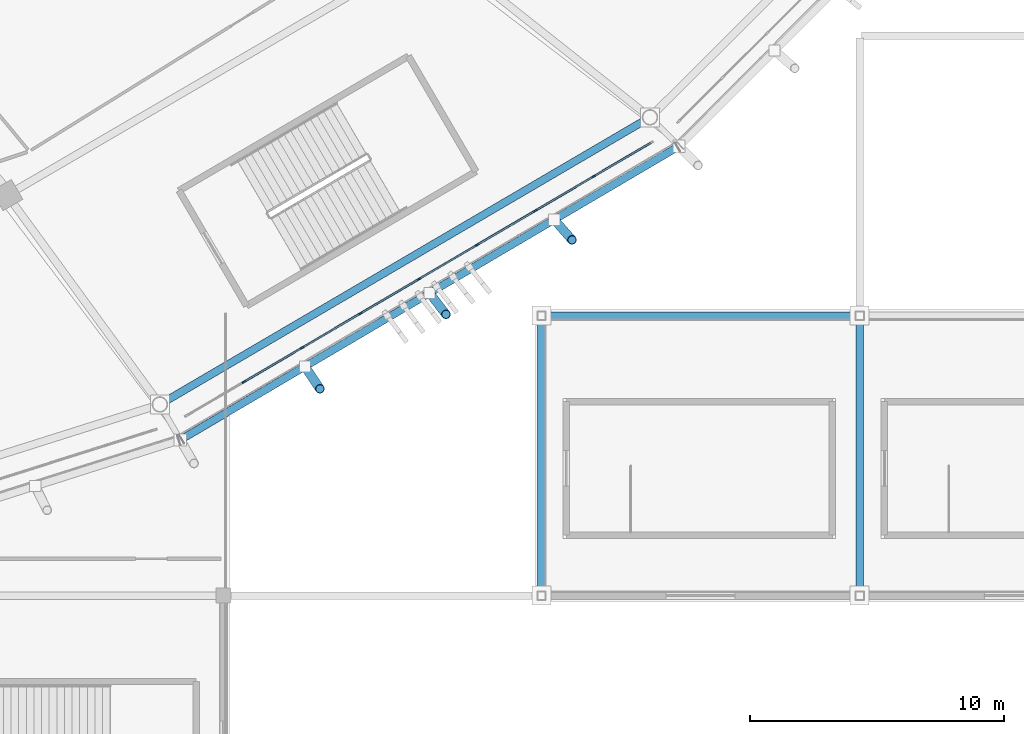
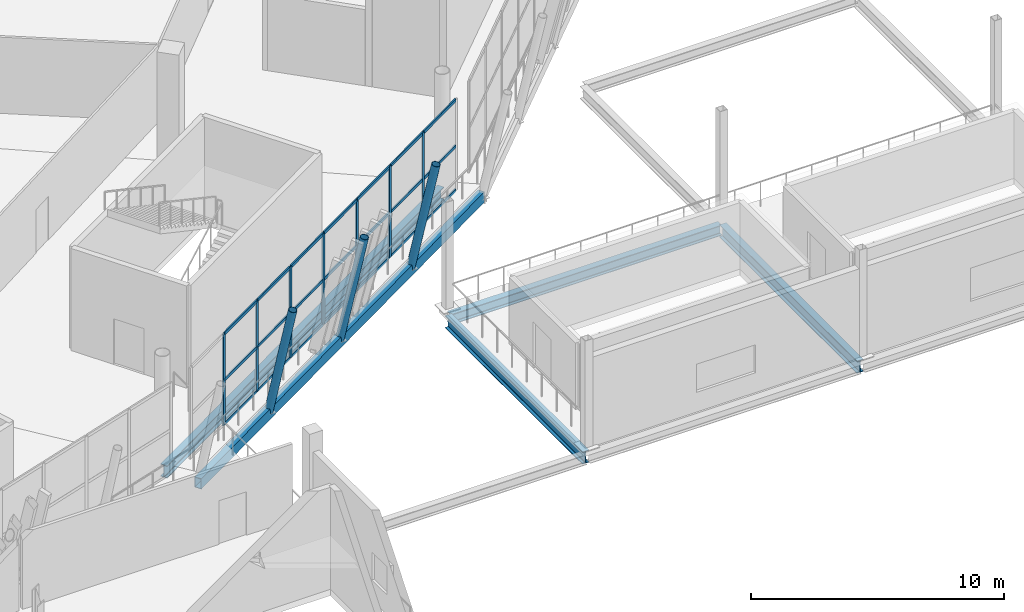
# One storey, part 54 of 178: 31 members, 5 beams, 1 element without a shape of its own.
"""IFC4 building model written with IfcOpenShell, lengths in metres."""

from ifc_helpers import new_model, si_unit, direction, frame, origin, origin_2d, place, context, subcontext, project, spatial, rectangle, hollow_rectangle, hollow_circle, i_section, extrude, material, material_profile, profile_set, type_object, element, aggregate, save


model = new_model("IFC4")

# Units and contexts
model_context = context("Model", 3, precision=1e-05, world=origin(), true_north=direction((0.0, 1.0)))
body_context = subcontext(model_context, "Body", "Model", "MODEL_VIEW")
ifc_project = project(units=[si_unit("LENGTHUNIT", "METRE"), si_unit("AREAUNIT", "SQUARE_METRE"), si_unit("VOLUMEUNIT", "CUBIC_METRE"), si_unit("PLANEANGLEUNIT", "RADIAN"), si_unit("MASSUNIT", "GRAM", prefix="KILO")], contexts=[model_context])

# Site, building, storey
site_placement = place(None, origin())
site = spatial("IfcSite", under=ifc_project, at=site_placement, CompositionType="ELEMENT")
building_placement = place(site_placement, origin())
building = spatial("IfcBuilding", under=site, at=building_placement, Name="Zlatoyarsky Gate Stadium", CompositionType="ELEMENT")
storey_placement = place(building_placement, frame((0.0, 0.0, 5.39990234375)))
storey = spatial("IfcBuildingStorey", under=building, at=storey_placement, Name="L01", CompositionType="ELEMENT", Elevation=5.39990234375)

# Curtain wall, members
ifc_material_1 = material(Name="Thermally broken anodised aluminium curtain wall", Category="aluminium")
curtain_wall_type = type_object("IfcCurtainWallType", Name="UNITISED HOSPITALITY GLAZING L01", PredefinedType="USERDEFINED", material=ifc_material_1)
curtain_wall_placement = place(storey_placement, origin())
curtain_wall = element("IfcCurtainWall", 1, at=curtain_wall_placement, inside=storey, type_object=curtain_wall_type, Name="Curtain wall CW-L01-20", ObjectType="UNITISED GLAZING", PredefinedType="USERDEFINED")
ifc_material_2 = material(Name="Anodised aluminium 6063-T6", Category="aluminium")
ifc_material_profile_1 = material_profile(ifc_material_2, rectangle(XDim=0.06494140625, YDim=0.159912109375, at=origin_2d()), Name="ALU 65X160")
ifc_profile_set_1 = profile_set([ifc_material_profile_1], Name="Anodised aluminium 6063-T6")
member_type_1 = type_object("IfcMemberType", Name="ALUMINIUM MULLION 65X160", PredefinedType="MULLION", material=ifc_profile_set_1)
member_1_placement = place(storey_placement, frame((160.8056640625, 19.40087890625, 0.0), z_axis=(0.0, 0.0, 1.0), x_axis=(-0.506590401335, 0.862186850558, 0.0)))
member_1 = element("IfcMember", 2, at=member_1_placement, type_object=member_type_1, Name="CW-UG1 mullion 2", PredefinedType="MULLION", context=body_context, shape_type="SweptSolid", body=[
    extrude(rectangle(XDim=0.06494140625, YDim=0.159912109375, at=origin_2d()), origin(), (0.0, 0.0, 1.0), 4.400146484375),
])
member_2_placement = place(storey_placement, frame((163.0966796875, 20.7470703125, 0.0), z_axis=(0.0, 0.0, 1.0), x_axis=(-0.506590401335, 0.862186850558, 0.0)))
member_2 = element("IfcMember", 3, at=member_2_placement, type_object=member_type_1, Name="CW-UG1 mullion 3", PredefinedType="MULLION", context=body_context, shape_type="SweptSolid", body=[
    extrude(rectangle(XDim=0.06494140625, YDim=0.159912109375, at=origin_2d()), origin(), (0.0, 0.0, 1.0), 4.400146484375),
])
member_3_placement = place(storey_placement, frame((165.3876953125, 22.093017578125, 0.0), z_axis=(0.0, 0.0, 1.0), x_axis=(-0.506590401335, 0.862186850558, 0.0)))
member_3 = element("IfcMember", 4, at=member_3_placement, type_object=member_type_1, Name="CW-UG1 mullion 4", PredefinedType="MULLION", context=body_context, shape_type="SweptSolid", body=[
    extrude(rectangle(XDim=0.06494140625, YDim=0.159912109375, at=origin_2d()), origin(), (0.0, 0.0, 1.0), 4.400146484375),
])
member_4_placement = place(storey_placement, frame((167.6787109375, 23.439208984375, 0.0), z_axis=(0.0, 0.0, 1.0), x_axis=(-0.506590401335, 0.862186850558, 0.0)))
member_4 = element("IfcMember", 5, at=member_4_placement, type_object=member_type_1, Name="CW-UG1 mullion 5", PredefinedType="MULLION", context=body_context, shape_type="SweptSolid", body=[
    extrude(rectangle(XDim=0.06494140625, YDim=0.159912109375, at=origin_2d()), origin(), (0.0, 0.0, 1.0), 4.400146484375),
])
member_5_placement = place(storey_placement, frame((169.9697265625, 24.785400390625, 0.0), z_axis=(0.0, 0.0, 1.0), x_axis=(-0.506590401335, 0.862186850558, 0.0)))
member_5 = element("IfcMember", 6, at=member_5_placement, type_object=member_type_1, Name="CW-UG1 mullion 6", PredefinedType="MULLION", context=body_context, shape_type="SweptSolid", body=[
    extrude(rectangle(XDim=0.06494140625, YDim=0.159912109375, at=origin_2d()), origin(), (0.0, 0.0, 1.0), 4.400146484375),
])
member_6_placement = place(storey_placement, frame((172.2607421875, 26.13134765625, 0.0), z_axis=(0.0, 0.0, 1.0), x_axis=(-0.506590401335, 0.862186850558, 0.0)))
member_6 = element("IfcMember", 7, at=member_6_placement, type_object=member_type_1, Name="CW-UG1 mullion 7", PredefinedType="MULLION", context=body_context, shape_type="SweptSolid", body=[
    extrude(rectangle(XDim=0.06494140625, YDim=0.159912109375, at=origin_2d()), origin(), (0.0, 0.0, 1.0), 4.400146484375),
])
member_7_placement = place(storey_placement, frame((174.5517578125, 27.4775390625, 0.0), z_axis=(0.0, 0.0, 1.0), x_axis=(-0.506590401335, 0.862186850558, 0.0)))
member_7 = element("IfcMember", 8, at=member_7_placement, type_object=member_type_1, Name="CW-UG1 mullion 8", PredefinedType="MULLION", context=body_context, shape_type="SweptSolid", body=[
    extrude(rectangle(XDim=0.06494140625, YDim=0.159912109375, at=origin_2d()), origin(), (0.0, 0.0, 1.0), 4.400146484375),
])
ifc_material_profile_2 = material_profile(ifc_material_2, rectangle(XDim=0.06494140625, YDim=0.139892578125, at=origin_2d()), Name="ALU 65X140")
ifc_profile_set_2 = profile_set([ifc_material_profile_2], Name="Anodised aluminium 6063-T6")
member_type_2 = type_object("IfcMemberType", Name="ALUMINIUM TRANSOM 65X140", PredefinedType="USERDEFINED", material=ifc_profile_set_2)
member_8_placement = place(storey_placement, frame((160.833740234375, 19.417236328125, 0.03271484375), z_axis=(0.862193150748, 0.506579678632, 0.0), x_axis=(-0.506579678632, 0.862193150748, 0.0)))
member_8 = element("IfcMember", 9, at=member_8_placement, type_object=member_type_2, Name="CW-UG1 transom 2.1", ObjectType="TRANSOM", PredefinedType="USERDEFINED", context=body_context, shape_type="SweptSolid", body=[
    extrude(rectangle(XDim=0.06494140625, YDim=0.139892578125, at=origin_2d()), origin(), (0.0, 0.0, 1.0), 2.59228515625),
])
member_9_placement = place(storey_placement, frame((160.833740234375, 19.417236328125, 2.150146484375), z_axis=(0.862193150748, 0.506579678632, 0.0), x_axis=(-0.506579678632, 0.862193150748, 0.0)))
member_9 = element("IfcMember", 10, at=member_9_placement, type_object=member_type_2, Name="CW-UG1 transom 2.2", ObjectType="TRANSOM", PredefinedType="USERDEFINED", context=body_context, shape_type="SweptSolid", body=[
    extrude(rectangle(XDim=0.06494140625, YDim=0.139892578125, at=origin_2d()), origin(), (0.0, 0.0, 1.0), 2.59228515625),
])
member_10_placement = place(storey_placement, frame((160.833740234375, 19.417236328125, 4.36767578125), z_axis=(0.862193150748, 0.506579678632, 0.0), x_axis=(-0.506579678632, 0.862193150748, 0.0)))
member_10 = element("IfcMember", 11, at=member_10_placement, type_object=member_type_2, Name="CW-UG1 transom 2.3", ObjectType="TRANSOM", PredefinedType="USERDEFINED", context=body_context, shape_type="SweptSolid", body=[
    extrude(rectangle(XDim=0.06494140625, YDim=0.139892578125, at=origin_2d()), origin(), (0.0, 0.0, 1.0), 2.59228515625),
])
member_11_placement = place(storey_placement, frame((163.124755859375, 20.763427734375, 0.03271484375), z_axis=(0.862193150748, 0.506579678632, 0.0), x_axis=(-0.506579678632, 0.862193150748, 0.0)))
member_11 = element("IfcMember", 12, at=member_11_placement, type_object=member_type_2, Name="CW-UG1 transom 3.1", ObjectType="TRANSOM", PredefinedType="USERDEFINED", context=body_context, shape_type="SweptSolid", body=[
    extrude(rectangle(XDim=0.06494140625, YDim=0.139892578125, at=origin_2d()), origin(), (0.0, 0.0, 1.0), 2.59228515625),
])
member_12_placement = place(storey_placement, frame((163.124755859375, 20.763427734375, 2.150146484375), z_axis=(0.862193150748, 0.506579678632, 0.0), x_axis=(-0.506579678632, 0.862193150748, 0.0)))
member_12 = element("IfcMember", 13, at=member_12_placement, type_object=member_type_2, Name="CW-UG1 transom 3.2", ObjectType="TRANSOM", PredefinedType="USERDEFINED", context=body_context, shape_type="SweptSolid", body=[
    extrude(rectangle(XDim=0.06494140625, YDim=0.139892578125, at=origin_2d()), origin(), (0.0, 0.0, 1.0), 2.59228515625),
])
member_13_placement = place(storey_placement, frame((163.124755859375, 20.763427734375, 4.36767578125), z_axis=(0.862193150748, 0.506579678632, 0.0), x_axis=(-0.506579678632, 0.862193150748, 0.0)))
member_13 = element("IfcMember", 14, at=member_13_placement, type_object=member_type_2, Name="CW-UG1 transom 3.3", ObjectType="TRANSOM", PredefinedType="USERDEFINED", context=body_context, shape_type="SweptSolid", body=[
    extrude(rectangle(XDim=0.06494140625, YDim=0.139892578125, at=origin_2d()), origin(), (0.0, 0.0, 1.0), 2.59228515625),
])
member_14_placement = place(storey_placement, frame((165.415771484375, 22.109619140625, 0.03271484375), z_axis=(0.862193150748, 0.506579678632, 0.0), x_axis=(-0.506579678632, 0.862193150748, 0.0)))
member_14 = element("IfcMember", 15, at=member_14_placement, type_object=member_type_2, Name="CW-UG1 transom 4.1", ObjectType="TRANSOM", PredefinedType="USERDEFINED", context=body_context, shape_type="SweptSolid", body=[
    extrude(rectangle(XDim=0.06494140625, YDim=0.139892578125, at=origin_2d()), origin(), (0.0, 0.0, 1.0), 2.59228515625),
])
member_15_placement = place(storey_placement, frame((165.415771484375, 22.109619140625, 2.150146484375), z_axis=(0.862193150748, 0.506579678632, 0.0), x_axis=(-0.506579678632, 0.862193150748, 0.0)))
member_15 = element("IfcMember", 16, at=member_15_placement, type_object=member_type_2, Name="CW-UG1 transom 4.2", ObjectType="TRANSOM", PredefinedType="USERDEFINED", context=body_context, shape_type="SweptSolid", body=[
    extrude(rectangle(XDim=0.06494140625, YDim=0.139892578125, at=origin_2d()), origin(), (0.0, 0.0, 1.0), 2.59228515625),
])
member_16_placement = place(storey_placement, frame((165.415771484375, 22.109619140625, 4.36767578125), z_axis=(0.862193150748, 0.506579678632, 0.0), x_axis=(-0.506579678632, 0.862193150748, 0.0)))
member_16 = element("IfcMember", 17, at=member_16_placement, type_object=member_type_2, Name="CW-UG1 transom 4.3", ObjectType="TRANSOM", PredefinedType="USERDEFINED", context=body_context, shape_type="SweptSolid", body=[
    extrude(rectangle(XDim=0.06494140625, YDim=0.139892578125, at=origin_2d()), origin(), (0.0, 0.0, 1.0), 2.59228515625),
])
member_17_placement = place(storey_placement, frame((167.706787109375, 23.45556640625, 0.03271484375), z_axis=(0.862193150748, 0.506579678632, 0.0), x_axis=(-0.506579678632, 0.862193150748, 0.0)))
member_17 = element("IfcMember", 18, at=member_17_placement, type_object=member_type_2, Name="CW-UG1 transom 5.1", ObjectType="TRANSOM", PredefinedType="USERDEFINED", context=body_context, shape_type="SweptSolid", body=[
    extrude(rectangle(XDim=0.06494140625, YDim=0.139892578125, at=origin_2d()), origin(), (0.0, 0.0, 1.0), 2.59228515625),
])
member_18_placement = place(storey_placement, frame((167.706787109375, 23.45556640625, 2.150146484375), z_axis=(0.862193150748, 0.506579678632, 0.0), x_axis=(-0.506579678632, 0.862193150748, 0.0)))
member_18 = element("IfcMember", 19, at=member_18_placement, type_object=member_type_2, Name="CW-UG1 transom 5.2", ObjectType="TRANSOM", PredefinedType="USERDEFINED", context=body_context, shape_type="SweptSolid", body=[
    extrude(rectangle(XDim=0.06494140625, YDim=0.139892578125, at=origin_2d()), origin(), (0.0, 0.0, 1.0), 2.59228515625),
])
member_19_placement = place(storey_placement, frame((167.706787109375, 23.45556640625, 4.36767578125), z_axis=(0.862193150748, 0.506579678632, 0.0), x_axis=(-0.506579678632, 0.862193150748, 0.0)))
member_19 = element("IfcMember", 20, at=member_19_placement, type_object=member_type_2, Name="CW-UG1 transom 5.3", ObjectType="TRANSOM", PredefinedType="USERDEFINED", context=body_context, shape_type="SweptSolid", body=[
    extrude(rectangle(XDim=0.06494140625, YDim=0.139892578125, at=origin_2d()), origin(), (0.0, 0.0, 1.0), 2.59228515625),
])
member_20_placement = place(storey_placement, frame((169.997802734375, 24.8017578125, 0.03271484375), z_axis=(0.862193150748, 0.506579678632, 0.0), x_axis=(-0.506579678632, 0.862193150748, 0.0)))
member_20 = element("IfcMember", 21, at=member_20_placement, type_object=member_type_2, Name="CW-UG1 transom 6.1", ObjectType="TRANSOM", PredefinedType="USERDEFINED", context=body_context, shape_type="SweptSolid", body=[
    extrude(rectangle(XDim=0.06494140625, YDim=0.139892578125, at=origin_2d()), origin(), (0.0, 0.0, 1.0), 2.59228515625),
])
member_21_placement = place(storey_placement, frame((169.997802734375, 24.8017578125, 2.150146484375), z_axis=(0.862193150748, 0.506579678632, 0.0), x_axis=(-0.506579678632, 0.862193150748, 0.0)))
member_21 = element("IfcMember", 22, at=member_21_placement, type_object=member_type_2, Name="CW-UG1 transom 6.2", ObjectType="TRANSOM", PredefinedType="USERDEFINED", context=body_context, shape_type="SweptSolid", body=[
    extrude(rectangle(XDim=0.06494140625, YDim=0.139892578125, at=origin_2d()), origin(), (0.0, 0.0, 1.0), 2.59228515625),
])
member_22_placement = place(storey_placement, frame((169.997802734375, 24.8017578125, 4.36767578125), z_axis=(0.862193150748, 0.506579678632, 0.0), x_axis=(-0.506579678632, 0.862193150748, 0.0)))
member_22 = element("IfcMember", 23, at=member_22_placement, type_object=member_type_2, Name="CW-UG1 transom 6.3", ObjectType="TRANSOM", PredefinedType="USERDEFINED", context=body_context, shape_type="SweptSolid", body=[
    extrude(rectangle(XDim=0.06494140625, YDim=0.139892578125, at=origin_2d()), origin(), (0.0, 0.0, 1.0), 2.59228515625),
])
member_23_placement = place(storey_placement, frame((172.288818359375, 26.14794921875, 0.03271484375), z_axis=(0.862193150748, 0.506579678632, 0.0), x_axis=(-0.506579678632, 0.862193150748, 0.0)))
member_23 = element("IfcMember", 24, at=member_23_placement, type_object=member_type_2, Name="CW-UG1 transom 7.1", ObjectType="TRANSOM", PredefinedType="USERDEFINED", context=body_context, shape_type="SweptSolid", body=[
    extrude(rectangle(XDim=0.06494140625, YDim=0.139892578125, at=origin_2d()), origin(), (0.0, 0.0, 1.0), 2.59228515625),
])
member_24_placement = place(storey_placement, frame((172.288818359375, 26.14794921875, 2.150146484375), z_axis=(0.862193150748, 0.506579678632, 0.0), x_axis=(-0.506579678632, 0.862193150748, 0.0)))
member_24 = element("IfcMember", 25, at=member_24_placement, type_object=member_type_2, Name="CW-UG1 transom 7.2", ObjectType="TRANSOM", PredefinedType="USERDEFINED", context=body_context, shape_type="SweptSolid", body=[
    extrude(rectangle(XDim=0.06494140625, YDim=0.139892578125, at=origin_2d()), origin(), (0.0, 0.0, 1.0), 2.59228515625),
])
member_25_placement = place(storey_placement, frame((172.288818359375, 26.14794921875, 4.36767578125), z_axis=(0.862193150748, 0.506579678632, 0.0), x_axis=(-0.506579678632, 0.862193150748, 0.0)))
member_25 = element("IfcMember", 26, at=member_25_placement, type_object=member_type_2, Name="CW-UG1 transom 7.3", ObjectType="TRANSOM", PredefinedType="USERDEFINED", context=body_context, shape_type="SweptSolid", body=[
    extrude(rectangle(XDim=0.06494140625, YDim=0.139892578125, at=origin_2d()), origin(), (0.0, 0.0, 1.0), 2.59228515625),
])
member_26_placement = place(storey_placement, frame((174.579833984375, 27.494140625, 0.03271484375), z_axis=(0.862211146606, 0.506549048631, 0.0), x_axis=(-0.506549048631, 0.862211146606, 0.0)))
member_26 = element("IfcMember", 27, at=member_26_placement, type_object=member_type_2, Name="CW-UG1 transom 8.1", ObjectType="TRANSOM", PredefinedType="USERDEFINED", context=body_context, shape_type="SweptSolid", body=[
    extrude(rectangle(XDim=0.06494140625, YDim=0.139892578125, at=origin_2d()), origin(), (0.0, 0.0, 1.0), 2.559814453125),
])
member_27_placement = place(storey_placement, frame((174.579833984375, 27.494140625, 2.150146484375), z_axis=(0.862211146606, 0.506549048631, 0.0), x_axis=(-0.506549048631, 0.862211146606, 0.0)))
member_27 = element("IfcMember", 28, at=member_27_placement, type_object=member_type_2, Name="CW-UG1 transom 8.2", ObjectType="TRANSOM", PredefinedType="USERDEFINED", context=body_context, shape_type="SweptSolid", body=[
    extrude(rectangle(XDim=0.06494140625, YDim=0.139892578125, at=origin_2d()), origin(), (0.0, 0.0, 1.0), 2.559814453125),
])
member_28_placement = place(storey_placement, frame((174.579833984375, 27.494140625, 4.36767578125), z_axis=(0.862211146606, 0.506549048631, 0.0), x_axis=(-0.506549048631, 0.862211146606, 0.0)))
member_28 = element("IfcMember", 29, at=member_28_placement, type_object=member_type_2, Name="CW-UG1 transom 8.3", ObjectType="TRANSOM", PredefinedType="USERDEFINED", context=body_context, shape_type="SweptSolid", body=[
    extrude(rectangle(XDim=0.06494140625, YDim=0.139892578125, at=origin_2d()), origin(), (0.0, 0.0, 1.0), 2.559814453125),
])
aggregate(curtain_wall, [member_1, member_2, member_3, member_4, member_5, member_6, member_7, member_8, member_9, member_10, member_11, member_12, member_13, member_14, member_15, member_16, member_17, member_18, member_19, member_20, member_21, member_22, member_23, member_24, member_25, member_26, member_27, member_28])

# Members
ifc_material_3 = material(Name="Steel S355", Category="steel")
ifc_material_profile_3 = material_profile(ifc_material_3, hollow_circle(Radius=0.177734375, WallThickness=0.02001953125, at=origin_2d()), Name="CHS 355.6X20")
ifc_profile_set_3 = profile_set([ifc_material_profile_3], Name="Steel S355")
member_type_3 = type_object("IfcMemberType", Name="STEEL LEANING RIB RING STRUT CHS 355.6X20", PredefinedType="STRUT", material=ifc_profile_set_3)
member_29_placement = place(storey_placement, frame((163.202880859375, 20.00390625, -0.5498046875), z_axis=(0.110551670231, -0.165598335218, 0.979977305646), x_axis=(0.831695977992, 0.555231303326, 0.0)))
element("IfcMember", 30, at=member_29_placement, inside=storey, type_object=member_type_3, Name="Outward-leaning bowl louvre fin rib L01 20-1", PredefinedType="STRUT", context=body_context, shape_type="SweptSolid", body=[
    extrude(hollow_circle(Radius=0.177734375, WallThickness=0.02001953125, at=origin_2d()), origin(), (0.0, 0.0, 1.0), 5.32666015625),
])
member_30_placement = place(storey_placement, frame((168.101318359375, 22.888671875, -0.5498046875), z_axis=(0.120966219196, -0.157636539528, 0.980060148776), x_axis=(0.793335236523, 0.608785021572, 0.0)))
element("IfcMember", 31, at=member_30_placement, inside=storey, type_object=member_type_3, Name="Outward-leaning bowl louvre fin rib L01 20-2", PredefinedType="STRUT", context=body_context, shape_type="SweptSolid", body=[
    extrude(hollow_circle(Radius=0.177734375, WallThickness=0.02001953125, at=origin_2d()), origin(), (0.0, 0.0, 1.0), 5.326171875),
])
member_31_placement = place(storey_placement, frame((172.999755859375, 25.773193359375, -0.5498046875), z_axis=(0.131315806964, -0.149603767514, 0.979987179297), x_axis=(0.751548806243, 0.659677490774, 0.0)))
element("IfcMember", 32, at=member_31_placement, inside=storey, type_object=member_type_3, Name="Outward-leaning bowl louvre fin rib L01 20-3", PredefinedType="STRUT", context=body_context, shape_type="SweptSolid", body=[
    extrude(hollow_circle(Radius=0.177734375, WallThickness=0.02001953125, at=origin_2d()), origin(), (0.0, 0.0, 1.0), 5.32666015625),
])

# Beams
ifc_material_profile_4 = material_profile(ifc_material_3, hollow_rectangle(XDim=0.300048828125, YDim=0.5, WallThickness=0.02001953125, at=origin_2d()), Name="RHS 500X300X20")
ifc_profile_set_4 = profile_set([ifc_material_profile_4], Name="Steel S355")
beam_type_1 = type_object("IfcBeamType", Name="STEEL LOUVRE CARRIER SPANDREL RHS 500X300X20", PredefinedType="SPANDREL", material=ifc_profile_set_4)
beam_1_placement = place(storey_placement, frame((158.321533203125, 17.12939453125, -0.5498046875), z_axis=(0.861685270129, 0.50744309557, 0.0), x_axis=(-0.50744309557, 0.861685270129, 0.0)))
element("IfcBeam", 33, at=beam_1_placement, inside=storey, type_object=beam_type_1, Name="Beam SP-RHS500 BM-L01-SPD-20", PredefinedType="SPANDREL", context=body_context, shape_type="SweptSolid", body=[
    extrude(hollow_rectangle(XDim=0.300048828125, YDim=0.5, WallThickness=0.02001953125, at=origin_2d()), origin(), (0.0, 0.0, 1.0), 22.69921875),
])
ifc_material_profile_5 = material_profile(ifc_material_3, i_section(OverallWidth=0.300048828125, OverallDepth=0.5, WebThickness=0.014404296875, FlangeThickness=0.028076171875, FilletRadius=0.027099609375, at=origin_2d()), Name="HEB 500")
ifc_profile_set_5 = profile_set([ifc_material_profile_5], Name="Steel S355")
beam_type_2 = type_object("IfcBeamType", Name="STEEL PRIMARY GIRDER HEB 500", PredefinedType="BEAM", material=ifc_profile_set_5)
beam_2_placement = place(storey_placement, frame((172.580078125, 22.0, -0.5498046875), z_axis=(1.0, 0.0, 0.0), x_axis=(0.0, 1.0, 0.0)))
element("IfcBeam", 34, at=beam_2_placement, inside=storey, type_object=beam_type_2, Name="Beam G-HEB500 BM-L01-WGX-15-C", PredefinedType="BEAM", context=body_context, shape_type="SweptSolid", body=[
    extrude(i_section(OverallWidth=0.300048828125, OverallDepth=0.5, WebThickness=0.014404296875, FlangeThickness=0.028076171875, FilletRadius=0.027099609375, at=origin_2d()), origin(), (0.0, 0.0, 1.0), 12.33984375),
])
ifc_material_profile_6 = material_profile(ifc_material_3, i_section(OverallWidth=0.300048828125, OverallDepth=0.60009765625, WebThickness=0.015380859375, FlangeThickness=0.030029296875, FilletRadius=0.027099609375, at=origin_2d()), Name="HEB 600")
ifc_profile_set_6 = profile_set([ifc_material_profile_6], Name="Steel S355")
beam_type_3 = type_object("IfcBeamType", Name="STEEL PRIMARY GIRDER HEB 600", PredefinedType="BEAM", material=ifc_profile_set_6)
beam_3_placement = place(storey_placement, frame((157.603515625, 18.572998046875, -0.599853515625), z_axis=(0.862854775092, 0.505451913738, 0.0), x_axis=(-0.505451913738, 0.862854775092, 0.0)))
element("IfcBeam", 35, at=beam_3_placement, inside=storey, type_object=beam_type_3, Name="Beam G-HEB600 BM-L01-CRC-20", PredefinedType="BEAM", context=body_context, shape_type="SweptSolid", body=[
    extrude(i_section(OverallWidth=0.300048828125, OverallDepth=0.60009765625, WebThickness=0.015380859375, FlangeThickness=0.030029296875, FilletRadius=0.027099609375, at=origin_2d()), origin(), (0.0, 0.0, 1.0), 22.08251953125),
])
for number, where, z_axis, x_axis, name in (
    (36, (172.5, 11.080078125, -0.599853515625), (0.0, 1.0, 0.0), (-1.0, 0.0, 0.0), "Beam G-HEB600 BM-L01-WGY-15-B"),
    (37, (185.0, 11.080078125, -0.599853515625), (0.0, 1.0, 0.0), (-1.0, 0.0, 0.0), "Beam G-HEB600 BM-L01-WGY-16-B"),
):
    element("IfcBeam", number, at=place(storey_placement, frame(where, z_axis=z_axis, x_axis=x_axis)), inside=storey, type_object=beam_type_3, Name=name, PredefinedType="BEAM", context=body_context, shape_type="SweptSolid", body=[
        extrude(i_section(OverallWidth=0.300048828125, OverallDepth=0.60009765625, WebThickness=0.015380859375, FlangeThickness=0.030029296875, FilletRadius=0.027099609375, at=origin_2d()), origin(), (0.0, 0.0, 1.0), 10.83984375),
    ])

save(model, "model.ifc")
